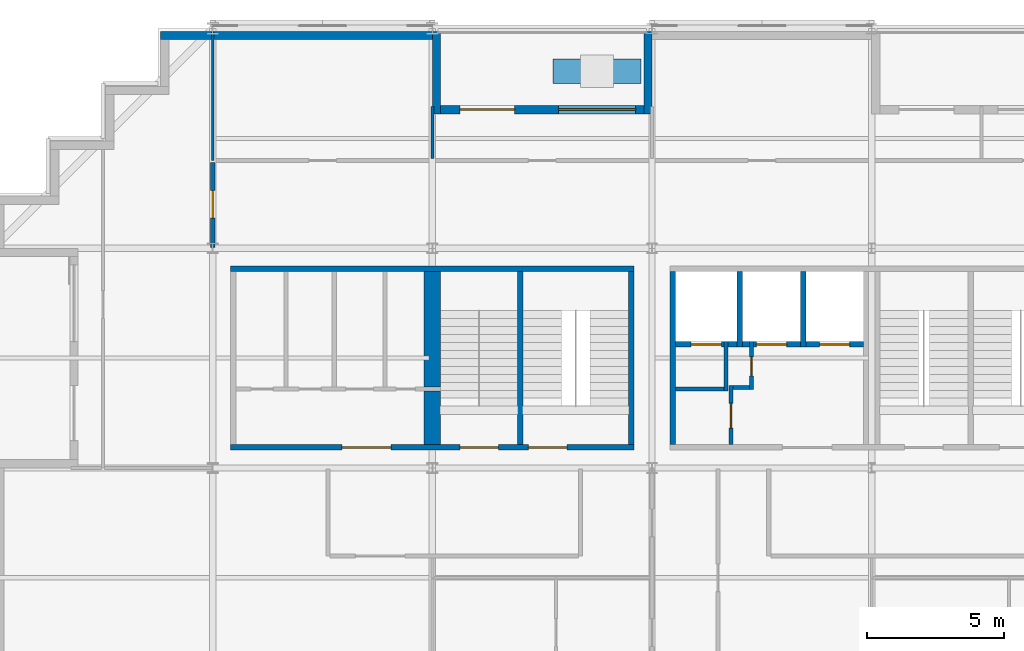
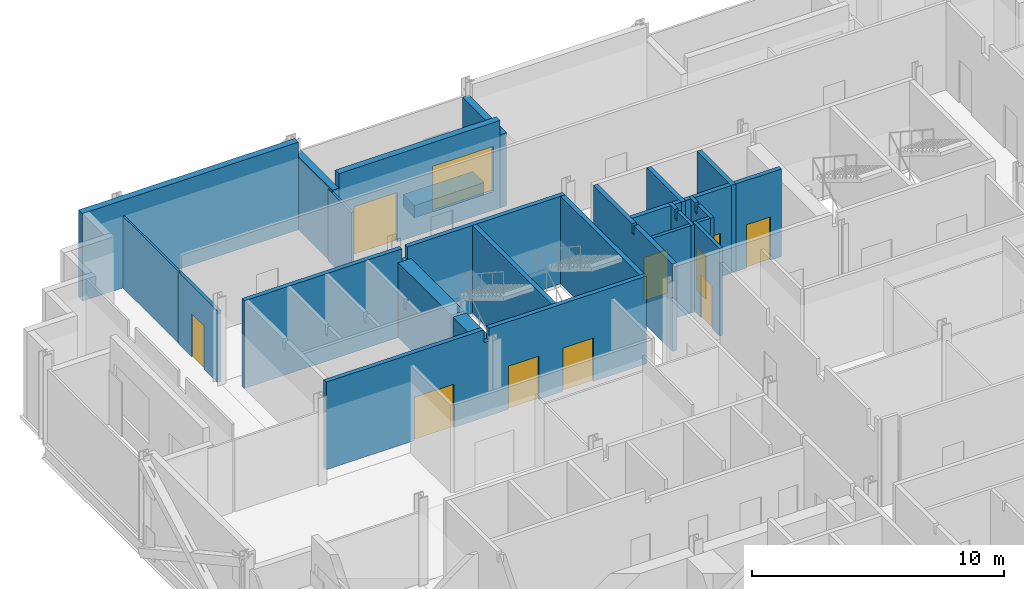
# One storey, part 10 of 15: 27 walls, 10 doors, 1 window, 11 openings.
"""IFC4 building model written with IfcOpenShell, lengths in metres."""

from ifc_helpers import new_model, si_unit, direction, frame, frame_2d, origin, place, context, subcontext, project, spatial, polyline, rectangle, outline, extrude, material, layer, layer_set, type_object, element, fill, save


model = new_model("IFC4")

# Units and contexts
model_context = context("Model", 3, precision=1e-05, world=origin(), true_north=direction((0.0, 1.0)))
body_context = subcontext(model_context, "Body", "Model", "MODEL_VIEW")
ifc_project = project(units=[si_unit("LENGTHUNIT", "METRE"), si_unit("AREAUNIT", "SQUARE_METRE"), si_unit("VOLUMEUNIT", "CUBIC_METRE"), si_unit("PLANEANGLEUNIT", "RADIAN"), si_unit("MASSUNIT", "GRAM", prefix="KILO")], contexts=[model_context])

# Site, building, storey
site_placement = place(None, origin())
site = spatial("IfcSite", under=ifc_project, at=site_placement, CompositionType="ELEMENT")
building_placement = place(site_placement, origin())
building = spatial("IfcBuilding", under=site, at=building_placement, Name="Immortelle Media Tower", CompositionType="ELEMENT")
storey_placement = place(building_placement, frame((0.0, 0.0, 92.0)))
storey = spatial("IfcBuildingStorey", under=building, at=storey_placement, Name="L17", CompositionType="ELEMENT", Elevation=92.0)

# Walls
ifc_material_1 = material(Name="Fire-rated gypsum board", Category="gypsum")
ifc_layer_1 = layer(ifc_material_1, 0.02490234375)
ifc_material_2 = material(Name="Steel ASTM A653 SS Gr 50 stud frame with mineral wool", Category="steel")
ifc_layer_2 = layer(ifc_material_2, 0.10009765625)
ifc_layer_3 = layer(ifc_material_1, 0.02490234375)
ifc_layer_set_1 = layer_set([ifc_layer_1, ifc_layer_2, ifc_layer_3], Name="Steel ASTM A653 SS Gr 50 stud frame with mineral wool")
wall_type_1 = type_object("IfcWallType", Name="Core partition 150", PredefinedType="PARTITIONING", material=ifc_layer_set_1)
wall_1_placement = place(storey_placement, frame((24.85009765625, 34.875, 0.0), z_axis=(0.0, 0.0, 1.0), x_axis=(1.0, 0.0, 0.0)))
element("IfcWall", 1, at=wall_1_placement, inside=storey, type_object=wall_type_1, Name="Core partition NE", PredefinedType="PARTITIONING", context=body_context, shape_type="SweptSolid", body=[
    extrude(rectangle(XDim=1.77490234375, YDim=0.14990234375, at=frame_2d((0.887451171875, 0.0))), origin(), (0.0, 0.0, 1.0), 4.25),
])
wall_2_placement = place(storey_placement, frame((26.699951171875, 34.800048828125, 0.0), z_axis=(0.0, 0.0, 1.0), x_axis=(0.0, 1.0, 0.0)))
element("IfcWall", 2, at=wall_2_placement, inside=storey, type_object=wall_type_1, Name="Core partition NE", PredefinedType="PARTITIONING", context=body_context, shape_type="SweptSolid", body=[
    extrude(outline(polyline([(0.0, 0.0), (1.800048828125, 0.0), (1.800048828125, 4.25), (1.281494140625, 4.25), (1.280517578125, 3.7890625), (1.119384765625, 3.7890625), (1.118408203125, 4.25), (0.0, 4.25), (0.0, 0.0)])), frame((0.0, 0.074951171875, 0.0), z_axis=(0.0, -1.0, 0.0), x_axis=(1.0, 0.0, 0.0)), (0.0, 0.0, 1.0), 0.14990234375),
])

# Wall, opening, door
wall_3_placement = place(storey_placement, frame((26.875, 32.85009765625, 0.0), z_axis=(0.0, 0.0, 1.0), x_axis=(0.0, 1.0, 0.0)))
wall_3 = element("IfcWall", 3, at=wall_3_placement, inside=storey, type_object=wall_type_1, Name="Core partition NE", PredefinedType="PARTITIONING", context=body_context, shape_type="SweptSolid", body=[
    extrude(rectangle(XDim=2.14990234375, YDim=0.14990234375, at=frame_2d((1.074951171875, 0.0))), origin(), (0.0, 0.0, 1.0), 4.25),
])
opening_1_placement = place(wall_3_placement, frame((0.60009765625, 0.0, 0.0)))
opening_1 = element("IfcOpeningElement", 4, at=opening_1_placement, cuts=wall_3, Name="Opening N5-K031", PredefinedType="OPENING", context=body_context, shape_type="SweptSolid", body=[
    extrude(rectangle(XDim=0.89990234375, YDim=2.10009765625, at=frame_2d((0.449951171875, 1.050048828125))), frame((0.0, 0.0849609375, 0.0), z_axis=(0.0, -1.0, 0.0), x_axis=(1.0, 0.0, 0.0)), (0.0, 0.0, 1.0), 0.169921875),
])
ifc_material_3 = material(Name="Galvanised steel door leaf and frame ASTM A653", Category="steel")
door_type_1 = type_object("IfcDoorType", Name="Service door 900 x 2100", OperationType="NOTDEFINED", PredefinedType="NOTDEFINED", material=ifc_material_3)
door_1_placement = place(opening_1_placement, origin())
door_1 = element("IfcDoor", 5, at=door_1_placement, inside=storey, type_object=door_type_1, Name="Service N5-K031", OperationType="SINGLE_SWING_RIGHT", OverallHeight=2.10009765625, OverallWidth=0.89990234375, PredefinedType="NOTDEFINED", context=body_context, shape_type="SweptSolid", body=[
    extrude(rectangle(XDim=0.89990234375, YDim=2.10009765625, at=frame_2d((0.449951171875, 1.050048828125))), frame((0.0, 0.02490234375, 0.0), z_axis=(0.0, -1.0, 0.0), x_axis=(1.0, 0.0, 0.0)), (0.0, 0.0, 1.0), 0.050048828125),
])
fill(opening_1, door_1)

# Wall
wall_4_placement = place(storey_placement, frame((26.949951171875, 34.925048828125, 0.0), z_axis=(0.0, 0.0, 1.0), x_axis=(1.0, 0.0, 0.0)))
element("IfcWall", 6, at=wall_4_placement, inside=storey, type_object=wall_type_1, Name="Core partition NE", PredefinedType="PARTITIONING", context=body_context, shape_type="SweptSolid", body=[
    extrude(rectangle(XDim=0.60009765625, YDim=0.14990234375, at=frame_2d((0.300048828125, 0.0))), origin(), (0.0, 0.0, 1.0), 4.25),
])

# Wall, opening, door
wall_5_placement = place(storey_placement, frame((27.625, 34.85009765625, 0.0), z_axis=(0.0, 0.0, 1.0), x_axis=(0.0, 1.0, 0.0)))
wall_5 = element("IfcWall", 7, at=wall_5_placement, inside=storey, type_object=wall_type_1, Name="Core partition NE", PredefinedType="PARTITIONING", context=body_context, shape_type="SweptSolid", body=[
    extrude(outline(polyline([(0.0, 0.0), (1.75, 0.0), (1.75, 4.25), (1.2314453125, 4.25), (1.23046875, 3.7890625), (1.069580078125, 3.7890625), (1.068603515625, 4.25), (0.0, 4.25), (0.0, 0.0)])), frame((0.0, 0.074951171875, 0.0), z_axis=(0.0, -1.0, 0.0), x_axis=(1.0, 0.0, 0.0)), (0.0, 0.0, 1.0), 0.14990234375),
])
opening_2_placement = place(wall_5_placement, frame((0.5, 0.0, 0.0)))
opening_2 = element("IfcOpeningElement", 8, at=opening_2_placement, cuts=wall_5, Name="Opening N5-K032", PredefinedType="OPENING", context=body_context, shape_type="SweptSolid", body=[
    extrude(rectangle(XDim=0.699951171875, YDim=2.10009765625, at=frame_2d((0.35009765625, 1.050048828125))), frame((0.0, 0.0849609375, 0.0), z_axis=(0.0, -1.0, 0.0), x_axis=(1.0, 0.0, 0.0)), (0.0, 0.0, 1.0), 0.169921875),
])
door_type_2 = type_object("IfcDoorType", Name="Service door 700 x 2100", OperationType="NOTDEFINED", PredefinedType="NOTDEFINED", material=ifc_material_3)
door_2_placement = place(opening_2_placement, origin())
door_2 = element("IfcDoor", 9, at=door_2_placement, inside=storey, type_object=door_type_2, Name="Service N5-K032", OperationType="SINGLE_SWING_RIGHT", OverallHeight=2.10009765625, OverallWidth=0.699951171875, PredefinedType="NOTDEFINED", context=body_context, shape_type="SweptSolid", body=[
    extrude(rectangle(XDim=0.699951171875, YDim=2.10009765625, at=frame_2d((0.35009765625, 1.050048828125))), frame((0.0, 0.02490234375, 0.0), z_axis=(0.0, -1.0, 0.0), x_axis=(1.0, 0.0, 0.0)), (0.0, 0.0, 1.0), 0.050048828125),
])
fill(opening_2, door_2)

# Wall
ifc_layer_4 = layer(ifc_material_1, 0.03759765625)
ifc_layer_5 = layer(ifc_material_2, 0.125)
ifc_layer_6 = layer(ifc_material_1, 0.03759765625)
ifc_layer_set_2 = layer_set([ifc_layer_4, ifc_layer_5, ifc_layer_6], Name="Steel ASTM A653 SS Gr 50 stud frame with mineral wool")
wall_type_2 = type_object("IfcWallType", Name="Core shaft wall 200", PredefinedType="PARTITIONING", material=ifc_layer_set_2)
wall_6_placement = place(storey_placement, frame((24.75, 32.85009765625, 0.0), z_axis=(0.0, 0.0, 1.0), x_axis=(0.0, 1.0, 0.0)))
element("IfcWall", 10, at=wall_6_placement, inside=storey, type_object=wall_type_2, Name="Core shaft wall NE", PredefinedType="PARTITIONING", context=body_context, shape_type="SweptSolid", body=[
    extrude(outline(polyline([(0.0, 0.0), (6.2998046875, 0.0), (6.300048828125, 4.25), (3.2314453125, 4.25), (3.23046875, 3.7890625), (3.069580078125, 3.7890625), (3.068603515625, 4.25), (0.0, 4.25), (0.0, 0.0)])), frame((0.0, 0.10009765625, 0.0), z_axis=(0.0, -1.0, 0.0), x_axis=(1.0, 0.0, 0.0)), (0.0, 0.0, 1.0), 0.199951171875),
])

# Wall, opening, door
wall_7_placement = place(storey_placement, frame((24.85009765625, 36.5, 0.0), z_axis=(0.0, 0.0, 1.0), x_axis=(1.0, 0.0, 0.0)))
wall_7 = element("IfcWall", 11, at=wall_7_placement, inside=storey, type_object=wall_type_2, Name="Core shaft wall NE", PredefinedType="PARTITIONING", context=body_context, shape_type="SweptSolid", body=[
    extrude(rectangle(XDim=1.77490234375, YDim=0.199951171875, at=frame_2d((0.887451171875, 0.0))), origin(), (0.0, 0.0, 1.0), 4.25),
])
opening_3_placement = place(wall_7_placement, frame((0.574951171875, 0.0, 0.0)))
opening_3 = element("IfcOpeningElement", 12, at=opening_3_placement, cuts=wall_7, Name="Opening LD", PredefinedType="OPENING", context=body_context, shape_type="SweptSolid", body=[
    extrude(rectangle(XDim=1.10009765625, YDim=2.10009765625, at=frame_2d((0.550048828125, 1.050048828125))), frame((0.0, 0.10986328125, 0.0), z_axis=(0.0, -1.0, 0.0), x_axis=(1.0, 0.0, 0.0)), (0.0, 0.0, 1.0), 0.219970703125),
])
ifc_material_4 = material(Name="Stainless steel AISI 304", Category="steel")
door_type_3 = type_object("IfcDoorType", Name="Landing door 1100 x 2100", OperationType="SLIDING_TO_LEFT", PredefinedType="NOTDEFINED", material=ifc_material_4)
door_3_placement = place(opening_3_placement, origin())
door_3 = element("IfcDoor", 13, at=door_3_placement, inside=storey, type_object=door_type_3, Name="Landing door LR1 L17", OperationType="SLIDING_TO_LEFT", OverallHeight=2.10009765625, OverallWidth=1.10009765625, PredefinedType="NOTDEFINED", context=body_context, shape_type="SweptSolid", body=[
    extrude(rectangle(XDim=1.10009765625, YDim=2.10009765625, at=frame_2d((0.550048828125, 1.050048828125))), frame((0.0, 0.02490234375, 0.0), z_axis=(0.0, -1.0, 0.0), x_axis=(1.0, 0.0, 0.0)), (0.0, 0.0, 1.0), 0.050048828125),
])
fill(opening_3, door_3)

# Walls
wall_8_placement = place(storey_placement, frame((26.77490234375, 36.5, 0.0), z_axis=(0.0, 0.0, 1.0), x_axis=(1.0, 0.0, 0.0)))
element("IfcWall", 14, at=wall_8_placement, inside=storey, type_object=wall_type_2, Name="Core shaft wall NE", PredefinedType="PARTITIONING", context=body_context, shape_type="SweptSolid", body=[
    extrude(rectangle(XDim=0.3251953125, YDim=0.199951171875, at=frame_2d((0.16259765625, 0.0))), origin(), (0.0, 0.0, 1.0), 4.25),
])
wall_9_placement = place(storey_placement, frame((27.199951171875, 36.39990234375, 0.0), z_axis=(0.0, 0.0, 1.0), x_axis=(0.0, 1.0, 0.0)))
element("IfcWall", 15, at=wall_9_placement, inside=storey, type_object=wall_type_2, Name="Core shaft wall NE", PredefinedType="PARTITIONING", context=body_context, shape_type="SweptSolid", body=[
    extrude(rectangle(XDim=2.75, YDim=0.199951171875, at=frame_2d((1.375, 0.0))), origin(), (0.0, 0.0, 1.0), 4.25),
])
wall_10_placement = place(storey_placement, frame((27.300048828125, 36.5, 0.0), z_axis=(0.0, 0.0, 1.0), x_axis=(1.0, 0.0, 0.0)))
element("IfcWall", 16, at=wall_10_placement, inside=storey, type_object=wall_type_2, Name="Core shaft wall NE", PredefinedType="PARTITIONING", context=body_context, shape_type="SweptSolid", body=[
    extrude(rectangle(XDim=0.25, YDim=0.199951171875, at=frame_2d((0.125, 0.0))), origin(), (0.0, 0.0, 1.0), 4.25),
])

# Wall, opening, door
wall_11_placement = place(storey_placement, frame((27.699951171875, 36.5, 0.0), z_axis=(0.0, 0.0, 1.0), x_axis=(1.0, 0.0, 0.0)))
wall_11 = element("IfcWall", 17, at=wall_11_placement, inside=storey, type_object=wall_type_2, Name="Core shaft wall NE", PredefinedType="PARTITIONING", context=body_context, shape_type="SweptSolid", body=[
    extrude(rectangle(XDim=1.699951171875, YDim=0.199951171875, at=frame_2d((0.85009765625, 0.0))), origin(), (0.0, 0.0, 1.0), 4.25),
])
opening_4_placement = place(wall_11_placement, frame((0.10009765625, 0.0, 0.0)))
opening_4 = element("IfcOpeningElement", 18, at=opening_4_placement, cuts=wall_11, Name="Opening LD", PredefinedType="OPENING", context=body_context, shape_type="SweptSolid", body=[
    extrude(rectangle(XDim=1.10009765625, YDim=2.10009765625, at=frame_2d((0.550048828125, 1.050048828125))), frame((0.0, 0.10986328125, 0.0), z_axis=(0.0, -1.0, 0.0), x_axis=(1.0, 0.0, 0.0)), (0.0, 0.0, 1.0), 0.219970703125),
])
door_4_placement = place(opening_4_placement, origin())
door_4 = element("IfcDoor", 19, at=door_4_placement, inside=storey, type_object=door_type_3, Name="Landing door LR2 L17", OperationType="SLIDING_TO_LEFT", OverallHeight=2.10009765625, OverallWidth=1.10009765625, PredefinedType="NOTDEFINED", context=body_context, shape_type="SweptSolid", body=[
    extrude(rectangle(XDim=1.10009765625, YDim=2.10009765625, at=frame_2d((0.550048828125, 1.050048828125))), frame((0.0, 0.02490234375, 0.0), z_axis=(0.0, -1.0, 0.0), x_axis=(1.0, 0.0, 0.0)), (0.0, 0.0, 1.0), 0.050048828125),
])
fill(opening_4, door_4)

# Wall
wall_12_placement = place(storey_placement, frame((29.5, 36.39990234375, 0.0), z_axis=(0.0, 0.0, 1.0), x_axis=(0.0, 1.0, 0.0)))
element("IfcWall", 20, at=wall_12_placement, inside=storey, type_object=wall_type_2, Name="Core shaft wall NE", PredefinedType="PARTITIONING", context=body_context, shape_type="SweptSolid", body=[
    extrude(rectangle(XDim=2.75, YDim=0.199951171875, at=frame_2d((1.375, 0.0))), origin(), (0.0, 0.0, 1.0), 4.25),
])

# Wall, opening, door
wall_13_placement = place(storey_placement, frame((29.60009765625, 36.5, 0.0), z_axis=(0.0, 0.0, 1.0), x_axis=(1.0, 0.0, 0.0)))
wall_13 = element("IfcWall", 21, at=wall_13_placement, inside=storey, type_object=wall_type_2, Name="Core shaft wall NE", PredefinedType="PARTITIONING", context=body_context, shape_type="SweptSolid", body=[
    extrude(rectangle(XDim=2.099853515625, YDim=0.199951171875, at=frame_2d((1.0498046875, 0.0))), origin(), (0.0, 0.0, 1.0), 4.25),
])
opening_5_placement = place(wall_13_placement, frame((0.5, 0.0, 0.0)))
opening_5 = element("IfcOpeningElement", 22, at=opening_5_placement, cuts=wall_13, Name="Opening LD", PredefinedType="OPENING", context=body_context, shape_type="SweptSolid", body=[
    extrude(rectangle(XDim=1.10009765625, YDim=2.10009765625, at=frame_2d((0.550048828125, 1.050048828125))), frame((0.0, 0.10986328125, 0.0), z_axis=(0.0, -1.0, 0.0), x_axis=(1.0, 0.0, 0.0)), (0.0, 0.0, 1.0), 0.219970703125),
])
door_5_placement = place(opening_5_placement, origin())
door_5 = element("IfcDoor", 23, at=door_5_placement, inside=storey, type_object=door_type_3, Name="Landing door LR3 L17", OperationType="SLIDING_TO_LEFT", OverallHeight=2.10009765625, OverallWidth=1.10009765625, PredefinedType="NOTDEFINED", context=body_context, shape_type="SweptSolid", body=[
    extrude(rectangle(XDim=1.10009765625, YDim=2.10009765625, at=frame_2d((0.550048828125, 1.050048828125))), frame((0.0, 0.02490234375, 0.0), z_axis=(0.0, -1.0, 0.0), x_axis=(1.0, 0.0, 0.0)), (0.0, 0.0, 1.0), 0.050048828125),
])
fill(opening_5, door_5)

ifc_layer_7 = layer(ifc_material_1, 0.012451171875)
ifc_layer_8 = layer(ifc_material_2, 0.125)
ifc_layer_9 = layer(ifc_material_1, 0.012451171875)
ifc_layer_set_3 = layer_set([ifc_layer_7, ifc_layer_8, ifc_layer_9], Name="Steel ASTM A653 SS Gr 50 stud frame with mineral wool")
wall_type_3 = type_object("IfcWallType", Name="Corridor wall 150", PredefinedType="PARTITIONING", material=ifc_layer_set_3)
wall_14_placement = place(storey_placement, frame((8.0, 40.030029296875, 0.0), z_axis=(0.0, 0.0, 1.0), x_axis=(0.0, 1.0, 0.0)))
wall_14 = element("IfcWall", 24, at=wall_14_placement, inside=storey, type_object=wall_type_3, Name="Partition L17-050", PredefinedType="PARTITIONING", context=body_context, shape_type="SweptSolid", body=[
    extrude(rectangle(XDim=3.094970703125, YDim=0.14990234375, at=frame_2d((1.54736328125, 0.0))), origin(), (0.0, 0.0, 1.0), 3.469970703125),
])
opening_6_placement = place(wall_14_placement, frame((1.070068359375, 0.0, 0.0)))
opening_6 = element("IfcOpeningElement", 25, at=opening_6_placement, cuts=wall_14, Name="Opening N5-F024", PredefinedType="OPENING", context=body_context, shape_type="SweptSolid", body=[
    extrude(rectangle(XDim=1.0, YDim=2.10009765625, at=frame_2d((0.5, 1.050048828125))), frame((0.0, 0.0849609375, 0.0), z_axis=(0.0, -1.0, 0.0), x_axis=(1.0, 0.0, 0.0)), (0.0, 0.0, 1.0), 0.169921875),
])
ifc_material_5 = material(Name="Timber veneered door leaf, galvanised steel frame ASTM A653", Category="steel")
door_type_4 = type_object("IfcDoorType", Name="Room door 1000 x 2100", OperationType="NOTDEFINED", PredefinedType="DOOR", material=ifc_material_5)
door_6_placement = place(opening_6_placement, origin())
door_6 = element("IfcDoor", 26, at=door_6_placement, inside=storey, type_object=door_type_4, Name="Door N5-F024", OperationType="SINGLE_SWING_RIGHT", OverallHeight=2.10009765625, OverallWidth=1.0, PredefinedType="DOOR", context=body_context, shape_type="SweptSolid", body=[
    extrude(rectangle(XDim=1.0, YDim=2.10009765625, at=frame_2d((0.5, 1.050048828125))), frame((0.0, 0.02490234375, 0.0), z_axis=(0.0, -1.0, 0.0), x_axis=(1.0, 0.0, 0.0)), (0.0, 0.0, 1.0), 0.050048828125),
])
fill(opening_6, door_6)

# Wall, openings, door, window
ifc_material_6 = material(Name="Pale aluminium cladding panel", Category="aluminium")
ifc_layer_10 = layer(ifc_material_6, 0.030029296875)
ifc_layer_11 = layer(ifc_material_2, 0.257568359375)
ifc_material_7 = material(Name="Moisture-resistant gypsum board", Category="gypsum")
ifc_layer_12 = layer(ifc_material_7, 0.012451171875)
ifc_layer_set_4 = layer_set([ifc_layer_10, ifc_layer_11, ifc_layer_12], Name="Steel ASTM A653 SS Gr 50 stud frame with mineral wool")
wall_type_4 = type_object("IfcWallType", Name="Facade wall 300", PredefinedType="SOLIDWALL", material=ifc_layer_set_4)
wall_15_placement = place(storey_placement, frame((23.699951171875, 45.050048828125, 0.0), z_axis=(0.0, 0.0, 1.0), x_axis=(-1.0, 0.0, 0.0)))
wall_15 = element("IfcWall", 27, at=wall_15_placement, inside=storey, type_object=wall_type_4, Name="Loggia wall L17 N21", PredefinedType="SOLIDWALL", context=body_context, shape_type="SweptSolid", body=[
    extrude(rectangle(XDim=7.39990234375, YDim=0.300048828125, at=frame_2d((3.699951171875, 0.0))), origin(), (0.0, 0.0, 1.0), 4.25),
])
opening_7_placement = place(wall_15_placement, frame((0.300048828125, 0.0, 0.89990234375)))
opening_7 = element("IfcOpeningElement", 28, at=opening_7_placement, cuts=wall_15, Name="Opening W1", PredefinedType="OPENING", context=body_context, shape_type="SweptSolid", body=[
    extrude(rectangle(XDim=2.800048828125, YDim=2.199951171875, at=frame_2d((1.39990234375, 1.10009765625))), frame((0.0, 0.159912109375, 0.0), z_axis=(0.0, -1.0, 0.0), x_axis=(1.0, 0.0, 0.0)), (0.0, 0.0, 1.0), 0.320068359375),
])
opening_8_placement = place(wall_15_placement, frame((4.699951171875, 0.0, 0.0)))
opening_8 = element("IfcOpeningElement", 29, at=opening_8_placement, cuts=wall_15, Name="Opening N5-E008", PredefinedType="OPENING", context=body_context, shape_type="SweptSolid", body=[
    extrude(rectangle(XDim=2.0, YDim=2.39990234375, at=frame_2d((1.0, 1.199951171875))), frame((0.0, 0.159912109375, 0.0), z_axis=(0.0, -1.0, 0.0), x_axis=(1.0, 0.0, 0.0)), (0.0, 0.0, 1.0), 0.320068359375),
])
ifc_material_8 = material(Name="Aluminium frame, glazed leaves", Category="aluminium")
door_type_5 = type_object("IfcDoorType", Name="Loggia door 2000 x 2400", OperationType="DOUBLE_DOOR_SINGLE_SWING", PredefinedType="DOOR", material=ifc_material_8)
door_7_placement = place(opening_8_placement, origin())
door_7 = element("IfcDoor", 30, at=door_7_placement, inside=storey, type_object=door_type_5, Name="Door N5-E008", OperationType="DOUBLE_DOOR_SINGLE_SWING", OverallHeight=2.39990234375, OverallWidth=2.0, PredefinedType="DOOR", context=body_context, shape_type="SweptSolid", body=[
    extrude(rectangle(XDim=2.0, YDim=2.39990234375, at=frame_2d((1.0, 1.199951171875))), frame((0.0, 0.02490234375, 0.0), z_axis=(0.0, -1.0, 0.0), x_axis=(1.0, 0.0, 0.0)), (0.0, 0.0, 1.0), 0.050048828125),
])
fill(opening_8, door_7)
ifc_material_9 = material(Name="Aluminium frame", Category="aluminium")
window_type = type_object("IfcWindowType", Name="Window 2800 x 2200", PartitioningType="SINGLE_PANEL", PredefinedType="WINDOW", material=ifc_material_9)
window_placement = place(opening_7_placement, origin())
window = element("IfcWindow", 31, at=window_placement, inside=storey, type_object=window_type, Name="Window L17 L17-R21-B2", OverallHeight=2.199951171875, OverallWidth=2.800048828125, PartitioningType="SINGLE_PANEL", PredefinedType="WINDOW", context=body_context, shape_type="SweptSolid", body=[
    extrude(rectangle(XDim=2.800048828125, YDim=2.199951171875, at=frame_2d((1.39990234375, 1.10009765625))), frame((0.0, 0.030029296875, 0.0), z_axis=(0.0, -1.0, 0.0), x_axis=(1.0, 0.0, 0.0)), (0.0, 0.0, 1.0), 0.06005859375),
])
fill(opening_7, window)

# Walls
for number, where, z_axis, x_axis, name in (
    (32, (23.85009765625, 47.89990234375, 0.0), (0.0, 0.0, 1.0), (0.0, -1.0, 0.0), "Loggia cheek wall L17 N"),
    (33, (16.14990234375, 47.89990234375, 0.0), (0.0, 0.0, 1.0), (0.0, -1.0, 0.0), "Loggia cheek wall L17 N"),
):
    element("IfcWall", number, at=place(storey_placement, frame(where, z_axis=z_axis, x_axis=x_axis)), inside=storey, type_object=wall_type_4, Name=name, PredefinedType="SOLIDWALL", context=body_context, shape_type="SweptSolid", body=[
        extrude(rectangle(XDim=3.0, YDim=0.300048828125, at=frame_2d((1.5, 0.0))), origin(), (0.0, 0.0, 1.0), 3.555908203125),
    ])
wall_16_placement = place(storey_placement, frame((16.0, 47.75, 0.0), z_axis=(0.0, 0.0, 1.0), x_axis=(-1.0, 0.0, 0.0)))
element("IfcWall", 34, at=wall_16_placement, inside=storey, type_object=wall_type_4, Name="Facade wall L17 N21", PredefinedType="SOLIDWALL", context=body_context, shape_type="SweptSolid", body=[
    extrude(rectangle(XDim=9.89990234375, YDim=0.300048828125, at=frame_2d((4.949951171875, 0.0))), origin(), (0.0, 0.0, 1.0), 4.25),
])
ifc_material_10 = material(Name="Gypsum board", Category="gypsum")
ifc_layer_13 = layer(ifc_material_10, 0.012451171875)
ifc_layer_14 = layer(ifc_material_2, 0.074951171875)
ifc_layer_15 = layer(ifc_material_10, 0.012451171875)
ifc_layer_set_5 = layer_set([ifc_layer_13, ifc_layer_14, ifc_layer_15], Name="Steel ASTM A653 SS Gr 50 stud frame with mineral wool")
wall_type_5 = type_object("IfcWallType", Name="Partition 100", PredefinedType="PARTITIONING", material=ifc_layer_set_5)
wall_17_placement = place(storey_placement, frame((8.0, 43.199951171875, 0.0), z_axis=(0.0, 0.0, 1.0), x_axis=(0.0, 1.0, 0.0)))
element("IfcWall", 35, at=wall_17_placement, inside=storey, type_object=wall_type_5, Name="Partition L17-052", PredefinedType="PARTITIONING", context=body_context, shape_type="SweptSolid", body=[
    extrude(rectangle(XDim=4.670166015625, YDim=0.10009765625, at=frame_2d((2.3349609375, 0.0))), origin(), (0.0, 0.0, 1.0), 3.469970703125),
])
wall_18_placement = place(storey_placement, frame((16.0, 43.27490234375, 0.0), z_axis=(0.0, 0.0, 1.0), x_axis=(0.0, 1.0, 0.0)))
element("IfcWall", 36, at=wall_18_placement, inside=storey, type_object=wall_type_5, Name="Partition L17-053", PredefinedType="PARTITIONING", context=body_context, shape_type="SweptSolid", body=[
    extrude(rectangle(XDim=1.89501953125, YDim=0.10009765625, at=frame_2d((0.947509765625, 0.0))), origin(), (0.0, 0.0, 1.0), 3.469970703125),
])
ifc_layer_16 = layer(ifc_material_6, 0.0029296875)
ifc_material_11 = material(Name="Steel ASTM A572 Gr 50 planter shell", Category="steel")
ifc_layer_17 = layer(ifc_material_11, 0.011962890625)
ifc_material_12 = material(Name="Planting substrate", Category="soil")
ifc_layer_18 = layer(ifc_material_12, 0.873046875)
ifc_layer_19 = layer(ifc_material_11, 0.011962890625)
ifc_layer_set_6 = layer_set([ifc_layer_16, ifc_layer_17, ifc_layer_18, ifc_layer_19], Name="Steel ASTM A572 Gr 50 planter shell")
wall_type_6 = type_object("IfcWallType", Name="Planter wall 900", PredefinedType="SOLIDWALL", material=ifc_layer_set_6)
wall_19_placement = place(storey_placement, frame((23.60009765625, 46.449951171875, 0.0), z_axis=(0.0, 0.0, 1.0), x_axis=(-1.0, 0.0, 0.0)))
element("IfcWall", 37, at=wall_19_placement, inside=storey, type_object=wall_type_6, Name="Planter L17 N2", PredefinedType="SOLIDWALL", context=body_context, shape_type="SweptSolid", body=[
    extrude(rectangle(XDim=3.2001953125, YDim=0.89990234375, at=frame_2d((1.60009765625, 0.0))), origin(), (0.0, 0.0, 1.0), 0.60009765625),
])

# Wall, openings, doors
ifc_material_13 = material(Name="Concrete C60", Category="concrete")
ifc_layer_20 = layer(ifc_material_13, 0.199951171875)
ifc_layer_set_7 = layer_set([ifc_layer_20], Name="Concrete C60")
wall_type_7 = type_object("IfcWallType", Name="Stair shaft wall 200", PredefinedType="PARTITIONING", material=ifc_layer_set_7)
wall_20_placement = place(storey_placement, frame((8.64990234375, 32.75, 0.0), z_axis=(0.0, 0.0, 1.0), x_axis=(1.0, 0.0, 0.0)))
wall_20 = element("IfcWall", 38, at=wall_20_placement, inside=storey, type_object=wall_type_7, Name="Stair shaft wall NW", PredefinedType="PARTITIONING", context=body_context, shape_type="SweptSolid", body=[
    extrude(outline(polyline([(0.0, 0.0), (14.7001953125, 0.0), (14.699951171875, 4.25), (7.469482421875, 4.25), (7.468505859375, 3.632080078125), (7.2314453125, 3.632080078125), (7.23046875, 4.25), (0.0, 4.25), (0.0, 0.0)])), frame((0.0, 0.10009765625, 0.0), z_axis=(0.0, -1.0, 0.0), x_axis=(1.0, 0.0, 0.0)), (0.0, 0.0, 1.0), 0.199951171875),
])
opening_9_placement = place(wall_20_placement, frame((4.050048828125, 0.0, 0.0)))
opening_9 = element("IfcOpeningElement", 39, at=opening_9_placement, cuts=wall_20, Name="Opening N5-K026", PredefinedType="OPENING", context=body_context, shape_type="SweptSolid", body=[
    extrude(rectangle(XDim=1.800048828125, YDim=2.10009765625, at=frame_2d((0.89990234375, 1.050048828125))), frame((0.0, 0.10986328125, 0.0), z_axis=(0.0, -1.0, 0.0), x_axis=(1.0, 0.0, 0.0)), (0.0, 0.0, 1.0), 0.219970703125),
])
opening_10_placement = place(wall_20_placement, frame((8.35009765625, 0.0, 0.0)))
opening_10 = element("IfcOpeningElement", 40, at=opening_10_placement, cuts=wall_20, Name="Opening N5-K028", PredefinedType="OPENING", context=body_context, shape_type="SweptSolid", body=[
    extrude(rectangle(XDim=1.39990234375, YDim=2.10009765625, at=frame_2d((0.699951171875, 1.050048828125))), frame((0.0, 0.10986328125, 0.0), z_axis=(0.0, -1.0, 0.0), x_axis=(1.0, 0.0, 0.0)), (0.0, 0.0, 1.0), 0.219970703125),
])
opening_11_placement = place(wall_20_placement, frame((10.85009765625, 0.0, 0.0)))
opening_11 = element("IfcOpeningElement", 41, at=opening_11_placement, cuts=wall_20, Name="Opening N5-K029", PredefinedType="OPENING", context=body_context, shape_type="SweptSolid", body=[
    extrude(rectangle(XDim=1.39990234375, YDim=2.10009765625, at=frame_2d((0.699951171875, 1.050048828125))), frame((0.0, 0.10986328125, 0.0), z_axis=(0.0, -1.0, 0.0), x_axis=(1.0, 0.0, 0.0)), (0.0, 0.0, 1.0), 0.219970703125),
])
door_type_6 = type_object("IfcDoorType", Name="Lift lobby door 1800 x 2100", OperationType="DOUBLE_DOOR_SINGLE_SWING", PredefinedType="NOTDEFINED", material=ifc_material_3)
door_8_placement = place(opening_9_placement, origin())
door_8 = element("IfcDoor", 42, at=door_8_placement, inside=storey, type_object=door_type_6, Name="Lift lobby N5-K026", OperationType="DOUBLE_DOOR_SINGLE_SWING", OverallHeight=2.10009765625, OverallWidth=1.800048828125, PredefinedType="NOTDEFINED", context=body_context, shape_type="SweptSolid", body=[
    extrude(rectangle(XDim=1.800048828125, YDim=2.10009765625, at=frame_2d((0.89990234375, 1.050048828125))), frame((0.0, 0.02490234375, 0.0), z_axis=(0.0, -1.0, 0.0), x_axis=(1.0, 0.0, 0.0)), (0.0, 0.0, 1.0), 0.050048828125),
])
fill(opening_9, door_8)
door_type_7 = type_object("IfcDoorType", Name="Stair door 1400 x 2100", OperationType="DOUBLE_DOOR_SINGLE_SWING", PredefinedType="NOTDEFINED", material=ifc_material_3)
door_9_placement = place(opening_10_placement, origin())
door_9 = element("IfcDoor", 43, at=door_9_placement, inside=storey, type_object=door_type_7, Name="Stair N5-K028", OperationType="DOUBLE_DOOR_SINGLE_SWING", OverallHeight=2.10009765625, OverallWidth=1.39990234375, PredefinedType="NOTDEFINED", context=body_context, shape_type="SweptSolid", body=[
    extrude(rectangle(XDim=1.39990234375, YDim=2.10009765625, at=frame_2d((0.699951171875, 1.050048828125))), frame((0.0, 0.02490234375, 0.0), z_axis=(0.0, -1.0, 0.0), x_axis=(1.0, 0.0, 0.0)), (0.0, 0.0, 1.0), 0.050048828125),
])
fill(opening_10, door_9)
door_10_placement = place(opening_11_placement, origin())
door_10 = element("IfcDoor", 44, at=door_10_placement, inside=storey, type_object=door_type_7, Name="Stair N5-K029", OperationType="DOUBLE_DOOR_SINGLE_SWING", OverallHeight=2.10009765625, OverallWidth=1.39990234375, PredefinedType="NOTDEFINED", context=body_context, shape_type="SweptSolid", body=[
    extrude(rectangle(XDim=1.39990234375, YDim=2.10009765625, at=frame_2d((0.699951171875, 1.050048828125))), frame((0.0, 0.02490234375, 0.0), z_axis=(0.0, -1.0, 0.0), x_axis=(1.0, 0.0, 0.0)), (0.0, 0.0, 1.0), 0.050048828125),
])
fill(opening_11, door_10)

# Walls
wall_21_placement = place(storey_placement, frame((8.64990234375, 39.25, 0.0), z_axis=(0.0, 0.0, 1.0), x_axis=(1.0, 0.0, 0.0)))
element("IfcWall", 45, at=wall_21_placement, inside=storey, type_object=wall_type_7, Name="Stair shaft wall NW", PredefinedType="PARTITIONING", context=body_context, shape_type="SweptSolid", body=[
    extrude(outline(polyline([(0.0, 0.0), (14.7001953125, 0.0), (14.699951171875, 4.25), (7.469482421875, 4.25), (7.468505859375, 3.632080078125), (7.2314453125, 3.632080078125), (7.23046875, 4.25), (0.0, 4.25), (0.0, 0.0)])), frame((0.0, 0.10009765625, 0.0), z_axis=(0.0, -1.0, 0.0), x_axis=(1.0, 0.0, 0.0)), (0.0, 0.0, 1.0), 0.199951171875),
])
for number, where, z_axis, x_axis, name in (
    (46, (19.199951171875, 32.85009765625, 0.0), (0.0, 0.0, 1.0), (0.0, 1.0, 0.0), "Stair shaft wall NW"),
    (47, (23.25, 32.85009765625, 0.0), (0.0, 0.0, 1.0), (0.0, 1.0, 0.0), "Stair shaft wall NW"),
):
    element("IfcWall", number, at=place(storey_placement, frame(where, z_axis=z_axis, x_axis=x_axis)), inside=storey, type_object=wall_type_7, Name=name, PredefinedType="PARTITIONING", context=body_context, shape_type="SweptSolid", body=[
        extrude(rectangle(XDim=6.2998046875, YDim=0.199951171875, at=frame_2d((3.14990234375, 0.0))), origin(), (0.0, 0.0, 1.0), 4.25),
    ])
ifc_layer_21 = layer(ifc_material_13, 0.60009765625)
ifc_layer_set_8 = layer_set([ifc_layer_21], Name="Concrete C60")
wall_type_8 = type_object("IfcWallType", Name="Stair shaft wall 600", PredefinedType="PARTITIONING", material=ifc_layer_set_8)
wall_22_placement = place(storey_placement, frame((16.0, 32.85009765625, 0.0), z_axis=(0.0, 0.0, 1.0), x_axis=(0.0, 1.0, 0.0)))
element("IfcWall", 48, at=wall_22_placement, inside=storey, type_object=wall_type_8, Name="Stair shaft wall NW", PredefinedType="PARTITIONING", context=body_context, shape_type="SweptSolid", body=[
    extrude(rectangle(XDim=1.949951171875, YDim=0.60009765625, at=frame_2d((0.97509765625, 0.0))), origin(), (0.0, 0.0, 1.0), 3.632080078125),
])
wall_23_placement = place(storey_placement, frame((16.0, 34.949951171875, 0.0), z_axis=(0.0, 0.0, 1.0), x_axis=(0.0, 1.0, 0.0)))
element("IfcWall", 49, at=wall_23_placement, inside=storey, type_object=wall_type_8, Name="Stair shaft wall NW", PredefinedType="PARTITIONING", context=body_context, shape_type="SweptSolid", body=[
    extrude(rectangle(XDim=4.199951171875, YDim=0.60009765625, at=frame_2d((2.10009765625, 0.0))), origin(), (0.0, 0.0, 1.0), 3.632080078125),
])

save(model, "model.ifc")
